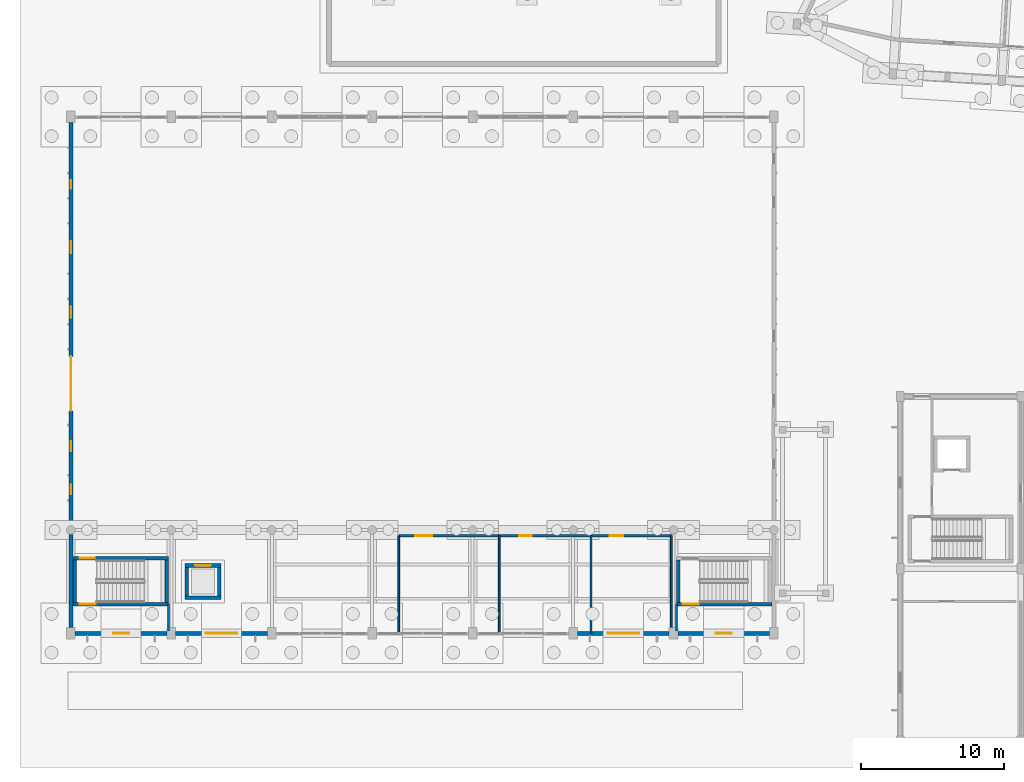
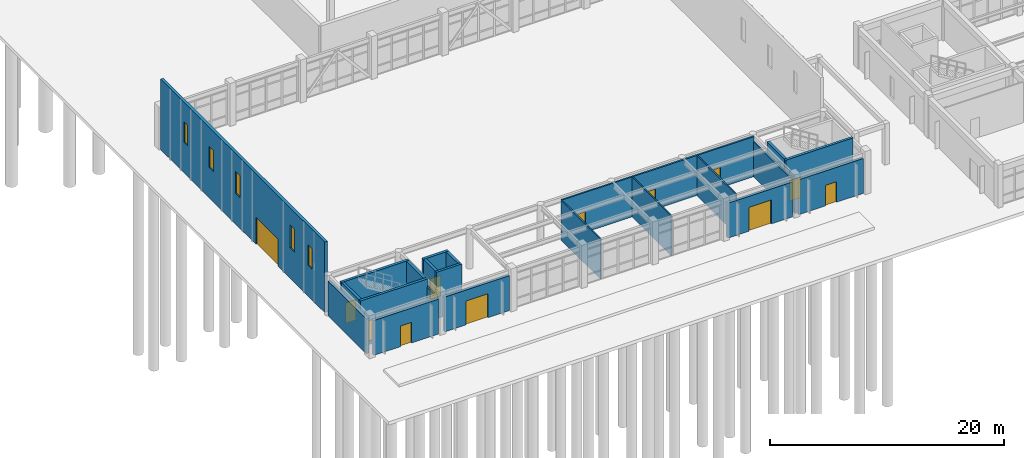
# One storey, part 117 of 154: 25 walls, 12 doors, 5 windows, 17 openings.
"""IFC4 building model written with IfcOpenShell, lengths in metres."""

from ifc_helpers import new_model, si_unit, direction, frame, frame_2d, origin, place, context, subcontext, project, spatial, rectangle, extrude, material, layer, layer_set, type_object, element, fill, save


model = new_model("IFC4")

# Units and contexts
model_context = context("Model", 3, precision=1e-05, world=origin(), true_north=direction((0.0, 1.0)))
body_context = subcontext(model_context, "Body", "Model", "MODEL_VIEW")
ifc_project = project(units=[si_unit("LENGTHUNIT", "METRE"), si_unit("AREAUNIT", "SQUARE_METRE"), si_unit("VOLUMEUNIT", "CUBIC_METRE"), si_unit("PLANEANGLEUNIT", "RADIAN"), si_unit("MASSUNIT", "GRAM", prefix="KILO")], contexts=[model_context])

# Site, building, storey
site_placement = place(None, origin())
site = spatial("IfcSite", under=ifc_project, at=site_placement, CompositionType="ELEMENT")
building_placement = place(site_placement, origin())
building = spatial("IfcBuilding", under=site, at=building_placement, Name="Kestramere Prow Commons", CompositionType="ELEMENT")
storey_placement = place(building_placement, origin())
storey = spatial("IfcBuildingStorey", under=building, at=storey_placement, Name="L00", CompositionType="ELEMENT", Elevation=0.0)

# Wall, opening, door
ifc_material_1 = material(Name="Precast concrete C40/50", Category="concrete")
ifc_layer_1 = layer(ifc_material_1, 0.280029296875)
ifc_layer_set_1 = layer_set([ifc_layer_1], Name="Precast concrete C40/50")
wall_type_1 = type_object("IfcWallType", Name="EW-CIVIC-280", PredefinedType="SOLIDWALL", material=ifc_layer_set_1)
wall_1_placement = place(storey_placement, frame((8.89990234375, 7.5, 0.0), z_axis=(0.0, 0.0, 1.0), x_axis=(-1.0, 0.0, 0.0)))
wall_1 = element("IfcWall", 1, at=wall_1_placement, inside=storey, type_object=wall_type_1, Name="Hall South Wall 1", PredefinedType="SOLIDWALL", context=body_context, shape_type="SweptSolid", body=[
    extrude(rectangle(XDim=6.39990234375, YDim=0.280029296875, at=frame_2d((3.199951171875, 0.0))), origin(), (0.0, 0.0, 1.0), 3.64990234375),
])
opening_1_placement = place(wall_1_placement, frame((2.64990234375, 0.0, 0.0)))
opening_1 = element("IfcOpeningElement", 2, at=opening_1_placement, cuts=wall_1, Name="Opening ED-03", PredefinedType="OPENING", context=body_context, shape_type="SweptSolid", body=[
    extrude(rectangle(XDim=1.10009765625, YDim=2.14990234375, at=frame_2d((0.550048828125, 1.074951171875))), frame((0.0, 0.155029296875, 0.0), z_axis=(0.0, -1.0, 0.0), x_axis=(1.0, 0.0, 0.0)), (0.0, 0.0, 1.0), 0.31005859375),
])
ifc_material_2 = material(Name="Thermally-Broken Anodised Aluminium Glazed", Category="aluminium")
door_type_1 = type_object("IfcDoorType", Name="ED-STAIR-1100", OperationType="NOTDEFINED", PredefinedType="DOOR", material=ifc_material_2)
door_1_placement = place(opening_1_placement, origin())
door_1 = element("IfcDoor", 3, at=door_1_placement, inside=storey, type_object=door_type_1, Name="Community Hall Stair 1 Final Exit Door", OperationType="SINGLE_SWING_LEFT", OverallHeight=2.14990234375, OverallWidth=1.10009765625, PredefinedType="DOOR", context=body_context, shape_type="SweptSolid", body=[
    extrude(rectangle(XDim=1.10009765625, YDim=2.14990234375, at=frame_2d((0.550048828125, 1.074951171875))), frame((0.0, 0.02490234375, 0.0), z_axis=(0.0, -1.0, 0.0), x_axis=(1.0, 0.0, 0.0)), (0.0, 0.0, 1.0), 0.050048828125),
])
fill(opening_1, door_1)

wall_2_placement = place(storey_placement, frame((15.89990234375, 7.5, 0.0), z_axis=(0.0, 0.0, 1.0), x_axis=(-1.0, 0.0, 0.0)))
wall_2 = element("IfcWall", 4, at=wall_2_placement, inside=storey, type_object=wall_type_1, Name="Hall South Wall 2", PredefinedType="SOLIDWALL", context=body_context, shape_type="SweptSolid", body=[
    extrude(rectangle(XDim=6.39990234375, YDim=0.280029296875, at=frame_2d((3.199951171875, 0.0))), origin(), (0.0, 0.0, 1.0), 3.64990234375),
])
opening_2_placement = place(wall_2_placement, frame((2.10009765625, 0.0, 0.0)))
opening_2 = element("IfcOpeningElement", 5, at=opening_2_placement, cuts=wall_2, Name="Opening ED-05", PredefinedType="OPENING", context=body_context, shape_type="SweptSolid", body=[
    extrude(rectangle(XDim=2.199951171875, YDim=2.5, at=frame_2d((1.10009765625, 1.25))), frame((0.0, 0.155029296875, 0.0), z_axis=(0.0, -1.0, 0.0), x_axis=(1.0, 0.0, 0.0)), (0.0, 0.0, 1.0), 0.31005859375),
])
door_type_2 = type_object("IfcDoorType", Name="ED-HALL-2200", OperationType="DOUBLE_DOOR_SINGLE_SWING", PredefinedType="DOOR", material=ifc_material_2)
door_2_placement = place(opening_2_placement, origin())
door_2 = element("IfcDoor", 6, at=door_2_placement, inside=storey, type_object=door_type_2, Name="Community Hall Entrance Door 2", OperationType="DOUBLE_DOOR_SINGLE_SWING", OverallHeight=2.5, OverallWidth=2.199951171875, PredefinedType="DOOR", context=body_context, shape_type="SweptSolid", body=[
    extrude(rectangle(XDim=2.199951171875, YDim=2.5, at=frame_2d((1.10009765625, 1.25))), frame((0.0, 0.02490234375, 0.0), z_axis=(0.0, -1.0, 0.0), x_axis=(1.0, 0.0, 0.0)), (0.0, 0.0, 1.0), 0.050048828125),
])
fill(opening_2, door_2)

wall_3_placement = place(storey_placement, frame((43.89990234375, 7.5, 0.0), z_axis=(0.0, 0.0, 1.0), x_axis=(-1.0, 0.0, 0.0)))
wall_3 = element("IfcWall", 7, at=wall_3_placement, inside=storey, type_object=wall_type_1, Name="Hall South Wall 6", PredefinedType="SOLIDWALL", context=body_context, shape_type="SweptSolid", body=[
    extrude(rectangle(XDim=6.39990234375, YDim=0.280029296875, at=frame_2d((3.199951171875, 0.0))), origin(), (0.0, 0.0, 1.0), 3.64990234375),
])
opening_3_placement = place(wall_3_placement, frame((2.10009765625, 0.0, 0.0)))
opening_3 = element("IfcOpeningElement", 8, at=opening_3_placement, cuts=wall_3, Name="Opening ED-05", PredefinedType="OPENING", context=body_context, shape_type="SweptSolid", body=[
    extrude(rectangle(XDim=2.199951171875, YDim=2.5, at=frame_2d((1.10009765625, 1.25))), frame((0.0, 0.155029296875, 0.0), z_axis=(0.0, -1.0, 0.0), x_axis=(1.0, 0.0, 0.0)), (0.0, 0.0, 1.0), 0.31005859375),
])
door_3_placement = place(opening_3_placement, origin())
door_3 = element("IfcDoor", 9, at=door_3_placement, inside=storey, type_object=door_type_2, Name="Community Hall Entrance Door 6", OperationType="DOUBLE_DOOR_SINGLE_SWING", OverallHeight=2.5, OverallWidth=2.199951171875, PredefinedType="DOOR", context=body_context, shape_type="SweptSolid", body=[
    extrude(rectangle(XDim=2.199951171875, YDim=2.5, at=frame_2d((1.10009765625, 1.25))), frame((0.0, 0.02490234375, 0.0), z_axis=(0.0, -1.0, 0.0), x_axis=(1.0, 0.0, 0.0)), (0.0, 0.0, 1.0), 0.050048828125),
])
fill(opening_3, door_3)

wall_4_placement = place(storey_placement, frame((50.89990234375, 7.5, 0.0), z_axis=(0.0, 0.0, 1.0), x_axis=(-1.0, 0.0, 0.0)))
wall_4 = element("IfcWall", 10, at=wall_4_placement, inside=storey, type_object=wall_type_1, Name="Hall South Wall 7", PredefinedType="SOLIDWALL", context=body_context, shape_type="SweptSolid", body=[
    extrude(rectangle(XDim=6.39990234375, YDim=0.280029296875, at=frame_2d((3.199951171875, 0.0))), origin(), (0.0, 0.0, 1.0), 3.64990234375),
])
opening_4_placement = place(wall_4_placement, frame((2.64990234375, 0.0, 0.0)))
opening_4 = element("IfcOpeningElement", 11, at=opening_4_placement, cuts=wall_4, Name="Opening ED-03", PredefinedType="OPENING", context=body_context, shape_type="SweptSolid", body=[
    extrude(rectangle(XDim=1.10009765625, YDim=2.14990234375, at=frame_2d((0.550048828125, 1.074951171875))), frame((0.0, 0.155029296875, 0.0), z_axis=(0.0, -1.0, 0.0), x_axis=(1.0, 0.0, 0.0)), (0.0, 0.0, 1.0), 0.31005859375),
])
door_4_placement = place(opening_4_placement, origin())
door_4 = element("IfcDoor", 12, at=door_4_placement, inside=storey, type_object=door_type_1, Name="Community Hall Stair 2 Final Exit Door", OperationType="SINGLE_SWING_RIGHT", OverallHeight=2.14990234375, OverallWidth=1.10009765625, PredefinedType="DOOR", context=body_context, shape_type="SweptSolid", body=[
    extrude(rectangle(XDim=1.10009765625, YDim=2.14990234375, at=frame_2d((0.550048828125, 1.074951171875))), frame((0.0, 0.02490234375, 0.0), z_axis=(0.0, -1.0, 0.0), x_axis=(1.0, 0.0, 0.0)), (0.0, 0.0, 1.0), 0.050048828125),
])
fill(opening_4, door_4)

# Wall
wall_5_placement = place(storey_placement, frame((2.199951171875, 7.89990234375, 0.0), z_axis=(0.0, 0.0, 1.0), x_axis=(0.0, 1.0, 0.0)))
element("IfcWall", 13, at=wall_5_placement, inside=storey, type_object=wall_type_1, Name="Hall L00 W Gallery End Wall", PredefinedType="SOLIDWALL", context=body_context, shape_type="SweptSolid", body=[
    extrude(rectangle(XDim=6.5, YDim=0.280029296875, at=frame_2d((3.25, 0.0))), origin(), (0.0, 0.0, 1.0), 3.64990234375),
])

# Wall, openings, door, windows
wall_6_placement = place(storey_placement, frame((2.199951171875, 15.0, 0.0), z_axis=(0.0, 0.0, 1.0), x_axis=(0.0, 1.0, 0.0)))
wall_6 = element("IfcWall", 14, at=wall_6_placement, inside=storey, type_object=wall_type_1, Name="Hall L00 W Double-Height Gable Wall", PredefinedType="SOLIDWALL", context=body_context, shape_type="SweptSolid", body=[
    extrude(rectangle(XDim=28.10009765625, YDim=0.280029296875, at=frame_2d((14.050048828125, 0.0))), origin(), (0.0, 0.0, 1.0), 7.3798828125),
])
opening_5_placement = place(wall_6_placement, frame((8.0, 0.0, 0.0)))
opening_5 = element("IfcOpeningElement", 15, at=opening_5_placement, cuts=wall_6, Name="Opening VG-02", PredefinedType="OPENING", context=body_context, shape_type="SweptSolid", body=[
    extrude(rectangle(XDim=3.800048828125, YDim=2.85009765625, at=frame_2d((1.89990234375, 1.425048828125))), frame((0.0, 0.155029296875, 0.0), z_axis=(0.0, -1.0, 0.0), x_axis=(1.0, 0.0, 0.0)), (0.0, 0.0, 1.0), 0.31005859375),
])
opening_6_placement = place(wall_6_placement, frame((2.199951171875, 0.0, 3.199951171875)))
opening_6 = element("IfcOpeningElement", 16, at=opening_6_placement, cuts=wall_6, Name="Opening WN-04", PredefinedType="OPENING", context=body_context, shape_type="SweptSolid", body=[
    extrude(rectangle(XDim=0.639892578125, YDim=2.179931640625, at=frame_2d((0.31982421875, 1.08984375))), frame((0.0, 0.155029296875, 0.0), z_axis=(0.0, -1.0, 0.0), x_axis=(1.0, 0.0, 0.0)), (0.0, 0.0, 1.0), 0.31005859375),
])
opening_7_placement = place(wall_6_placement, frame((5.199951171875, 0.0, 3.199951171875)))
opening_7 = element("IfcOpeningElement", 17, at=opening_7_placement, cuts=wall_6, Name="Opening WN-07", PredefinedType="OPENING", context=body_context, shape_type="SweptSolid", body=[
    extrude(rectangle(XDim=0.699951171875, YDim=2.360107421875, at=frame_2d((0.35009765625, 1.18017578125))), frame((0.0, 0.155029296875, 0.0), z_axis=(0.0, -1.0, 0.0), x_axis=(1.0, 0.0, 0.0)), (0.0, 0.0, 1.0), 0.31005859375),
])
opening_8_placement = place(wall_6_placement, frame((14.5, 0.0, 3.199951171875)))
opening_8 = element("IfcOpeningElement", 18, at=opening_8_placement, cuts=wall_6, Name="Opening WN-10", PredefinedType="OPENING", context=body_context, shape_type="SweptSolid", body=[
    extrude(rectangle(XDim=0.760009765625, YDim=2.340087890625, at=frame_2d((0.3798828125, 1.169921875))), frame((0.0, 0.155029296875, 0.0), z_axis=(0.0, -1.0, 0.0), x_axis=(1.0, 0.0, 0.0)), (0.0, 0.0, 1.0), 0.31005859375),
])
opening_9_placement = place(wall_6_placement, frame((19.0, 0.0, 3.199951171875)))
opening_9 = element("IfcOpeningElement", 19, at=opening_9_placement, cuts=wall_6, Name="Opening WN-13", PredefinedType="OPENING", context=body_context, shape_type="SweptSolid", body=[
    extrude(rectangle(XDim=0.820068359375, YDim=2.179931640625, at=frame_2d((0.41015625, 1.08984375))), frame((0.0, 0.155029296875, 0.0), z_axis=(0.0, -1.0, 0.0), x_axis=(1.0, 0.0, 0.0)), (0.0, 0.0, 1.0), 0.31005859375),
])
opening_10_placement = place(wall_6_placement, frame((23.5, 0.0, 3.199951171875)))
opening_10 = element("IfcOpeningElement", 20, at=opening_10_placement, cuts=wall_6, Name="Opening WN-01", PredefinedType="OPENING", context=body_context, shape_type="SweptSolid", body=[
    extrude(rectangle(XDim=0.580078125, YDim=2.159912109375, at=frame_2d((0.2900390625, 1.080078125))), frame((0.0, 0.155029296875, 0.0), z_axis=(0.0, -1.0, 0.0), x_axis=(1.0, 0.0, 0.0)), (0.0, 0.0, 1.0), 0.31005859375),
])
ifc_material_3 = material(Name="Galvanised Steel S275JR", Category="steel")
door_type_3 = type_object("IfcDoorType", Name="VG-LOAD-3800", OperationType="ROLLINGUP", PredefinedType="DOOR", material=ifc_material_3)
door_5_placement = place(opening_5_placement, origin())
door_5 = element("IfcDoor", 21, at=door_5_placement, inside=storey, type_object=door_type_3, Name="Community Hall Stage Loading Door", OperationType="ROLLINGUP", OverallHeight=2.85009765625, OverallWidth=3.800048828125, PredefinedType="DOOR", context=body_context, shape_type="SweptSolid", body=[
    extrude(rectangle(XDim=3.800048828125, YDim=2.85009765625, at=frame_2d((1.89990234375, 1.425048828125))), frame((0.0, 0.02490234375, 0.0), z_axis=(0.0, -1.0, 0.0), x_axis=(1.0, 0.0, 0.0)), (0.0, 0.0, 1.0), 0.050048828125),
])
fill(opening_5, door_5)
ifc_material_4 = material(Name="Low-E Laminated Double Glazing", Category="glass")
window_type_1 = type_object("IfcWindowType", Name="WN-NAR-580A", PartitioningType="SINGLE_PANEL", PredefinedType="WINDOW", material=ifc_material_4)
window_1_placement = place(opening_10_placement, origin())
window_1 = element("IfcWindow", 22, at=window_1_placement, inside=storey, type_object=window_type_1, Name="WN-HL-GAB-W-5", OverallHeight=2.159912109375, OverallWidth=0.580078125, PartitioningType="SINGLE_PANEL", PredefinedType="WINDOW", context=body_context, shape_type="SweptSolid", body=[
    extrude(rectangle(XDim=0.580078125, YDim=2.159912109375, at=frame_2d((0.2900390625, 1.080078125))), frame((0.0, 0.030029296875, 0.0), z_axis=(0.0, -1.0, 0.0), x_axis=(1.0, 0.0, 0.0)), (0.0, 0.0, 1.0), 0.06005859375),
])
fill(opening_10, window_1)
window_type_2 = type_object("IfcWindowType", Name="WN-NAR-640A", PartitioningType="SINGLE_PANEL", PredefinedType="WINDOW", material=ifc_material_4)
window_2_placement = place(opening_6_placement, origin())
window_2 = element("IfcWindow", 23, at=window_2_placement, inside=storey, type_object=window_type_2, Name="WN-HL-GAB-W-1", OverallHeight=2.179931640625, OverallWidth=0.639892578125, PartitioningType="SINGLE_PANEL", PredefinedType="WINDOW", context=body_context, shape_type="SweptSolid", body=[
    extrude(rectangle(XDim=0.639892578125, YDim=2.179931640625, at=frame_2d((0.31982421875, 1.08984375))), frame((0.0, 0.030029296875, 0.0), z_axis=(0.0, -1.0, 0.0), x_axis=(1.0, 0.0, 0.0)), (0.0, 0.0, 1.0), 0.06005859375),
])
fill(opening_6, window_2)
window_type_3 = type_object("IfcWindowType", Name="WN-NAR-700A", PartitioningType="SINGLE_PANEL", PredefinedType="WINDOW", material=ifc_material_4)
window_3_placement = place(opening_7_placement, origin())
window_3 = element("IfcWindow", 24, at=window_3_placement, inside=storey, type_object=window_type_3, Name="WN-HL-GAB-W-2", OverallHeight=2.360107421875, OverallWidth=0.699951171875, PartitioningType="SINGLE_PANEL", PredefinedType="WINDOW", context=body_context, shape_type="SweptSolid", body=[
    extrude(rectangle(XDim=0.699951171875, YDim=2.360107421875, at=frame_2d((0.35009765625, 1.18017578125))), frame((0.0, 0.030029296875, 0.0), z_axis=(0.0, -1.0, 0.0), x_axis=(1.0, 0.0, 0.0)), (0.0, 0.0, 1.0), 0.06005859375),
])
fill(opening_7, window_3)
window_type_4 = type_object("IfcWindowType", Name="WN-NAR-760A", PartitioningType="SINGLE_PANEL", PredefinedType="WINDOW", material=ifc_material_4)
window_4_placement = place(opening_8_placement, origin())
window_4 = element("IfcWindow", 25, at=window_4_placement, inside=storey, type_object=window_type_4, Name="WN-HL-GAB-W-3", OverallHeight=2.340087890625, OverallWidth=0.760009765625, PartitioningType="SINGLE_PANEL", PredefinedType="WINDOW", context=body_context, shape_type="SweptSolid", body=[
    extrude(rectangle(XDim=0.760009765625, YDim=2.340087890625, at=frame_2d((0.3798828125, 1.169921875))), frame((0.0, 0.030029296875, 0.0), z_axis=(0.0, -1.0, 0.0), x_axis=(1.0, 0.0, 0.0)), (0.0, 0.0, 1.0), 0.06005859375),
])
fill(opening_8, window_4)
window_type_5 = type_object("IfcWindowType", Name="WN-NAR-820A", PartitioningType="DOUBLE_PANEL_VERTICAL", PredefinedType="WINDOW", material=ifc_material_4)
window_5_placement = place(opening_9_placement, origin())
window_5 = element("IfcWindow", 26, at=window_5_placement, inside=storey, type_object=window_type_5, Name="WN-HL-GAB-W-4", OverallHeight=2.179931640625, OverallWidth=0.820068359375, PartitioningType="SINGLE_PANEL", PredefinedType="WINDOW", context=body_context, shape_type="SweptSolid", body=[
    extrude(rectangle(XDim=0.820068359375, YDim=2.179931640625, at=frame_2d((0.41015625, 1.08984375))), frame((0.0, 0.030029296875, 0.0), z_axis=(0.0, -1.0, 0.0), x_axis=(1.0, 0.0, 0.0)), (0.0, 0.0, 1.0), 0.06005859375),
])
fill(opening_9, window_5)

# Wall, opening, door
ifc_material_5 = material(Name="Concrete C40/50", Category="concrete")
ifc_layer_2 = layer(ifc_material_5, 0.25)
ifc_layer_set_2 = layer_set([ifc_layer_2], Name="Concrete C40/50")
wall_type_2 = type_object("IfcWallType", Name="W-CORE-250", PredefinedType="SHEAR", material=ifc_layer_set_2)
wall_7_placement = place(storey_placement, frame((2.35009765625, 12.72509765625, -0.35009765625), z_axis=(0.0, 0.0, 1.0), x_axis=(1.0, 0.0, 0.0)))
wall_7 = element("IfcWall", 27, at=wall_7_placement, inside=storey, type_object=wall_type_2, Name="ST-H1 L00 North Wall", PredefinedType="SHEAR", context=body_context, shape_type="SweptSolid", body=[
    extrude(rectangle(XDim=6.64990234375, YDim=0.25, at=frame_2d((3.324951171875, 0.0))), origin(), (0.0, 0.0, 1.0), 4.85009765625),
])
opening_11_placement = place(wall_7_placement, frame((0.449951171875, 0.0, 0.35009765625)))
opening_11 = element("IfcOpeningElement", 28, at=opening_11_placement, cuts=wall_7, Name="Opening ID-01", PredefinedType="OPENING", context=body_context, shape_type="SweptSolid", body=[
    extrude(rectangle(XDim=1.050048828125, YDim=2.14990234375, at=frame_2d((0.52490234375, 1.074951171875))), frame((0.0, 0.139892578125, 0.0), z_axis=(0.0, -1.0, 0.0), x_axis=(1.0, 0.0, 0.0)), (0.0, 0.0, 1.0), 0.280029296875),
])
ifc_material_6 = material(Name="Fire-Rated Timber and Steel Frame", Category="steel")
door_type_4 = type_object("IfcDoorType", Name="FD-ST-01", OperationType="NOTDEFINED", PredefinedType="DOOR", material=ifc_material_6)
door_6_placement = place(opening_11_placement, origin())
door_6 = element("IfcDoor", 29, at=door_6_placement, inside=storey, type_object=door_type_4, Name="ST-H1 L00 Protected Stair Door", OperationType="SINGLE_SWING_LEFT", OverallHeight=2.14990234375, OverallWidth=1.050048828125, PredefinedType="DOOR", context=body_context, shape_type="SweptSolid", body=[
    extrude(rectangle(XDim=1.050048828125, YDim=2.14990234375, at=frame_2d((0.52490234375, 1.074951171875))), frame((0.0, 0.02490234375, 0.0), z_axis=(0.0, -1.0, 0.0), x_axis=(1.0, 0.0, 0.0)), (0.0, 0.0, 1.0), 0.050048828125),
])
fill(opening_11, door_6)

wall_8_placement = place(storey_placement, frame((2.35009765625, 9.52490234375, -0.35009765625), z_axis=(0.0, 0.0, 1.0), x_axis=(1.0, 0.0, 0.0)))
wall_8 = element("IfcWall", 30, at=wall_8_placement, inside=storey, type_object=wall_type_2, Name="ST-H1 L00 South Wall", PredefinedType="SHEAR", context=body_context, shape_type="SweptSolid", body=[
    extrude(rectangle(XDim=6.64990234375, YDim=0.25, at=frame_2d((3.324951171875, 0.0))), origin(), (0.0, 0.0, 1.0), 4.85009765625),
])
opening_12_placement = place(wall_8_placement, frame((0.449951171875, 0.0, 0.35009765625)))
opening_12 = element("IfcOpeningElement", 31, at=opening_12_placement, cuts=wall_8, Name="Opening ID-02", PredefinedType="OPENING", context=body_context, shape_type="SweptSolid", body=[
    extrude(rectangle(XDim=1.1201171875, YDim=2.14990234375, at=frame_2d((0.56005859375, 1.074951171875))), frame((0.0, 0.139892578125, 0.0), z_axis=(0.0, -1.0, 0.0), x_axis=(1.0, 0.0, 0.0)), (0.0, 0.0, 1.0), 0.280029296875),
])
door_type_5 = type_object("IfcDoorType", Name="FD-ST-02", OperationType="NOTDEFINED", PredefinedType="DOOR", material=ifc_material_6)
door_7_placement = place(opening_12_placement, origin())
door_7 = element("IfcDoor", 32, at=door_7_placement, inside=storey, type_object=door_type_5, Name="ST-H1 L00 Lobby/Exit Stair Door", OperationType="SINGLE_SWING_RIGHT", OverallHeight=2.14990234375, OverallWidth=1.1201171875, PredefinedType="DOOR", context=body_context, shape_type="SweptSolid", body=[
    extrude(rectangle(XDim=1.1201171875, YDim=2.14990234375, at=frame_2d((0.56005859375, 1.074951171875))), frame((0.0, 0.02490234375, 0.0), z_axis=(0.0, -1.0, 0.0), x_axis=(1.0, 0.0, 0.0)), (0.0, 0.0, 1.0), 0.050048828125),
])
fill(opening_12, door_7)

# Walls
for number, where, z_axis, x_axis, name in (
    (33, (2.47509765625, 9.64990234375, -0.35009765625), (0.0, 0.0, 1.0), (0.0, 1.0, 0.0), "ST-H1 L00 W Wall"),
    (34, (8.875, 9.64990234375, -0.35009765625), (0.0, 0.0, 1.0), (0.0, 1.0, 0.0), "ST-H1 L00 E Wall"),
):
    element("IfcWall", number, at=place(storey_placement, frame(where, z_axis=z_axis, x_axis=x_axis)), inside=storey, type_object=wall_type_2, Name=name, PredefinedType="SHEAR", context=body_context, shape_type="SweptSolid", body=[
        extrude(rectangle(XDim=2.9501953125, YDim=0.25, at=frame_2d((1.47509765625, 0.0))), origin(), (0.0, 0.0, 1.0), 4.85009765625),
    ])

# Wall, opening, door
wall_9_placement = place(storey_placement, frame((44.39990234375, 9.52490234375, -0.35009765625), z_axis=(0.0, 0.0, 1.0), x_axis=(1.0, 0.0, 0.0)))
wall_9 = element("IfcWall", 35, at=wall_9_placement, inside=storey, type_object=wall_type_2, Name="ST-H2 L00 South Wall", PredefinedType="SHEAR", context=body_context, shape_type="SweptSolid", body=[
    extrude(rectangle(XDim=6.650146484375, YDim=0.25, at=frame_2d((3.3251953125, 0.0))), origin(), (0.0, 0.0, 1.0), 4.85009765625),
])
opening_13_placement = place(wall_9_placement, frame((0.449951171875, 0.0, 0.35009765625)))
opening_13 = element("IfcOpeningElement", 36, at=opening_13_placement, cuts=wall_9, Name="Opening ID-02", PredefinedType="OPENING", context=body_context, shape_type="SweptSolid", body=[
    extrude(rectangle(XDim=1.1201171875, YDim=2.14990234375, at=frame_2d((0.56005859375, 1.074951171875))), frame((0.0, 0.139892578125, 0.0), z_axis=(0.0, -1.0, 0.0), x_axis=(1.0, 0.0, 0.0)), (0.0, 0.0, 1.0), 0.280029296875),
])
door_8_placement = place(opening_13_placement, origin())
door_8 = element("IfcDoor", 37, at=door_8_placement, inside=storey, type_object=door_type_5, Name="ST-H2 L00 Lobby/Exit Stair Door", OperationType="SINGLE_SWING_RIGHT", OverallHeight=2.14990234375, OverallWidth=1.1201171875, PredefinedType="DOOR", context=body_context, shape_type="SweptSolid", body=[
    extrude(rectangle(XDim=1.1201171875, YDim=2.14990234375, at=frame_2d((0.56005859375, 1.074951171875))), frame((0.0, 0.02490234375, 0.0), z_axis=(0.0, -1.0, 0.0), x_axis=(1.0, 0.0, 0.0)), (0.0, 0.0, 1.0), 0.050048828125),
])
fill(opening_13, door_8)

# Wall
wall_10_placement = place(storey_placement, frame((44.52490234375, 9.64990234375, -0.35009765625), z_axis=(0.0, 0.0, 1.0), x_axis=(0.0, 1.0, 0.0)))
element("IfcWall", 38, at=wall_10_placement, inside=storey, type_object=wall_type_2, Name="ST-H2 L00 W Wall", PredefinedType="SHEAR", context=body_context, shape_type="SweptSolid", body=[
    extrude(rectangle(XDim=2.9501953125, YDim=0.25, at=frame_2d((1.47509765625, 0.0))), origin(), (0.0, 0.0, 1.0), 4.85009765625),
])

# Wall, opening, door
wall_11_placement = place(storey_placement, frame((10.14990234375, 12.22509765625, -0.35009765625), z_axis=(0.0, 0.0, 1.0), x_axis=(1.0, 0.0, 0.0)))
wall_11 = element("IfcWall", 39, at=wall_11_placement, inside=storey, type_object=wall_type_2, Name="PL-H1 L00 Shaft Wall N", PredefinedType="SHEAR", context=body_context, shape_type="SweptSolid", body=[
    extrude(rectangle(XDim=2.5, YDim=0.25, at=frame_2d((1.25, 0.0))), origin(), (0.0, 0.0, 1.0), 4.85009765625),
])
opening_14_placement = place(wall_11_placement, frame((0.699951171875, 0.0, 0.35009765625)))
opening_14 = element("IfcOpeningElement", 40, at=opening_14_placement, cuts=wall_11, Name="Opening LD-01", PredefinedType="OPENING", context=body_context, shape_type="SweptSolid", body=[
    extrude(rectangle(XDim=1.10009765625, YDim=2.14990234375, at=frame_2d((0.550048828125, 1.074951171875))), frame((0.0, 0.139892578125, 0.0), z_axis=(0.0, -1.0, 0.0), x_axis=(1.0, 0.0, 0.0)), (0.0, 0.0, 1.0), 0.280029296875),
])
ifc_material_7 = material(Name="Brushed Stainless Steel 304", Category="steel")
door_type_6 = type_object("IfcDoorType", Name="LD-01", OperationType="DOUBLE_DOOR_SLIDING", PredefinedType="DOOR", material=ifc_material_7)
door_9_placement = place(opening_14_placement, origin())
door_9 = element("IfcDoor", 41, at=door_9_placement, inside=storey, type_object=door_type_6, Name="PL-H1 L00 Lift Landing Door", OperationType="DOUBLE_DOOR_SLIDING", OverallHeight=2.14990234375, OverallWidth=1.10009765625, PredefinedType="DOOR", context=body_context, shape_type="SweptSolid", body=[
    extrude(rectangle(XDim=1.10009765625, YDim=2.14990234375, at=frame_2d((0.550048828125, 1.074951171875))), frame((0.0, 0.02490234375, 0.0), z_axis=(0.0, -1.0, 0.0), x_axis=(1.0, 0.0, 0.0)), (0.0, 0.0, 1.0), 0.050048828125),
])
fill(opening_14, door_9)

# Walls
wall_12_placement = place(storey_placement, frame((10.14990234375, 9.97509765625, -0.35009765625), z_axis=(0.0, 0.0, 1.0), x_axis=(1.0, 0.0, 0.0)))
element("IfcWall", 42, at=wall_12_placement, inside=storey, type_object=wall_type_2, Name="PL-H1 L00 Shaft Wall S", PredefinedType="SHEAR", context=body_context, shape_type="SweptSolid", body=[
    extrude(rectangle(XDim=2.5, YDim=0.25, at=frame_2d((1.25, 0.0))), origin(), (0.0, 0.0, 1.0), 4.85009765625),
])
for number, where, z_axis, x_axis, name in (
    (43, (10.27490234375, 10.10009765625, -0.35009765625), (0.0, 0.0, 1.0), (0.0, 1.0, 0.0), "PL-H1 L00 Shaft Wall W"),
    (44, (12.52490234375, 10.10009765625, -0.35009765625), (0.0, 0.0, 1.0), (0.0, 1.0, 0.0), "PL-H1 L00 Shaft Wall E"),
):
    element("IfcWall", number, at=place(storey_placement, frame(where, z_axis=z_axis, x_axis=x_axis)), inside=storey, type_object=wall_type_2, Name=name, PredefinedType="SHEAR", context=body_context, shape_type="SweptSolid", body=[
        extrude(rectangle(XDim=2.0, YDim=0.25, at=frame_2d((1.0, 0.0))), origin(), (0.0, 0.0, 1.0), 4.85009765625),
    ])
ifc_material_8 = material(Name="Fire-Rated Calcium Silicate Wall")
ifc_layer_3 = layer(ifc_material_8, 0.155029296875)
ifc_layer_set_3 = layer_set([ifc_layer_3], Name="Fire-Rated Calcium Silicate Wall")
wall_type_3 = type_object("IfcWallType", Name="W-FIRE-150", PredefinedType="PARTITIONING", material=ifc_layer_set_3)
for number, where, z_axis, x_axis, name in (
    (45, (9.0, 7.64990234375, 0.0), (0.0, 0.0, 1.0), (0.0, 1.0, 0.0), "Interior Partition PW-HL-L00-VEST1-E"),
    (46, (44.39990234375, 7.64990234375, 0.0), (0.0, 0.0, 1.0), (0.0, 1.0, 0.0), "Interior Partition PW-HL-L00-VEST2-W"),
):
    element("IfcWall", number, at=place(storey_placement, frame(where, z_axis=z_axis, x_axis=x_axis)), inside=storey, type_object=wall_type_3, Name=name, PredefinedType="PARTITIONING", context=body_context, shape_type="SweptSolid", body=[
        extrude(rectangle(XDim=1.900146484375, YDim=0.155029296875, at=frame_2d((0.9501953125, 0.0))), origin(), (0.0, 0.0, 1.0), 3.6669921875),
    ])
ifc_material_9 = material(Name="Lightweight Blockwork and Plaster", Category="masonry")
ifc_layer_4 = layer(ifc_material_9, 0.1201171875)
ifc_layer_set_4 = layer_set([ifc_layer_4], Name="Lightweight Blockwork and Plaster")
wall_type_4 = type_object("IfcWallType", Name="W-PART-120", PredefinedType="PARTITIONING", material=ifc_layer_set_4)
for number, where, z_axis, x_axis, name in (
    (47, (25.050048828125, 7.52001953125, 0.0), (0.0, 0.0, 1.0), (0.0, 1.0, 0.0), "Interior Partition PW-HL-L00-V-228"),
    (48, (32.050048828125, 7.52001953125, 0.0), (0.0, 0.0, 1.0), (0.0, 1.0, 0.0), "Interior Partition PW-HL-L00-V-298"),
    (49, (38.449951171875, 7.52001953125, 0.0), (0.0, 0.0, 1.0), (0.0, 1.0, 0.0), "Interior Partition PW-HL-L00-V-362"),
):
    element("IfcWall", number, at=place(storey_placement, frame(where, z_axis=z_axis, x_axis=x_axis)), inside=storey, type_object=wall_type_4, Name=name, PredefinedType="PARTITIONING", context=body_context, shape_type="SweptSolid", body=[
        extrude(rectangle(XDim=6.780029296875, YDim=0.1201171875, at=frame_2d((3.39013671875, 0.0))), origin(), (0.0, 0.0, 1.0), 4.179931640625),
    ])
wall_13_placement = place(storey_placement, frame((44.050048828125, 7.64990234375, 0.0), z_axis=(0.0, 0.0, 1.0), x_axis=(0.0, 1.0, 0.0)))
element("IfcWall", 50, at=wall_13_placement, inside=storey, type_object=wall_type_4, Name="Interior Partition PW-HL-L00-V-418", PredefinedType="PARTITIONING", context=body_context, shape_type="SweptSolid", body=[
    extrude(rectangle(XDim=6.650146484375, YDim=0.1201171875, at=frame_2d((3.3251953125, 0.0))), origin(), (0.0, 0.0, 1.0), 3.6669921875),
])

# Wall, opening, door
ifc_material_10 = material(Name="Masonry Compartment Wall", Category="masonry")
ifc_layer_5 = layer(ifc_material_10, 0.14990234375)
ifc_layer_set_5 = layer_set([ifc_layer_5], Name="Masonry Compartment Wall")
wall_type_5 = type_object("IfcWallType", Name="W-PART-150", PredefinedType="PARTITIONING", material=ifc_layer_set_5)
wall_14_placement = place(storey_placement, frame((25.050048828125, 14.300048828125, 0.0), z_axis=(0.0, 0.0, 1.0), x_axis=(1.0, 0.0, 0.0)))
wall_14 = element("IfcWall", 51, at=wall_14_placement, inside=storey, type_object=wall_type_5, Name="Interior Partition PW-HL-L00-FCC-N", PredefinedType="PARTITIONING", context=body_context, shape_type="SweptSolid", body=[
    extrude(rectangle(XDim=7.0, YDim=0.14990234375, at=frame_2d((3.5, 0.0))), origin(), (0.0, 0.0, 1.0), 4.179931640625),
])
opening_15_placement = place(wall_14_placement, frame((1.14990234375, 0.0, 0.0)))
opening_15 = element("IfcOpeningElement", 52, at=opening_15_placement, cuts=wall_14, Name="Opening ID-03", PredefinedType="OPENING", context=body_context, shape_type="SweptSolid", body=[
    extrude(rectangle(XDim=1.179931640625, YDim=2.14990234375, at=frame_2d((0.58984375, 1.074951171875))), frame((0.0, 0.08984375, 0.0), z_axis=(0.0, -1.0, 0.0), x_axis=(1.0, 0.0, 0.0)), (0.0, 0.0, 1.0), 0.179931640625),
])
ifc_material_11 = material(Name="Fire-Rated Glazed Smoke-Stop Door")
door_type_7 = type_object("IfcDoorType", Name="FD-LB-01", OperationType="NOTDEFINED", PredefinedType="DOOR", material=ifc_material_11)
door_10_placement = place(opening_15_placement, origin())
door_10 = element("IfcDoor", 53, at=door_10_placement, inside=storey, type_object=door_type_7, Name="Interior Door DR-HL-L00-FCC", OperationType="SINGLE_SWING_RIGHT", OverallHeight=2.14990234375, OverallWidth=1.179931640625, PredefinedType="DOOR", context=body_context, shape_type="SweptSolid", body=[
    extrude(rectangle(XDim=1.179931640625, YDim=2.14990234375, at=frame_2d((0.58984375, 1.074951171875))), frame((0.0, 0.02490234375, 0.0), z_axis=(0.0, -1.0, 0.0), x_axis=(1.0, 0.0, 0.0)), (0.0, 0.0, 1.0), 0.050048828125),
])
fill(opening_15, door_10)

ifc_material_12 = material(Name="Waterproof Sanitary Masonry Wall", Category="masonry")
ifc_layer_6 = layer(ifc_material_12, 0.1650390625)
ifc_layer_set_6 = layer_set([ifc_layer_6], Name="Waterproof Sanitary Masonry Wall")
wall_type_6 = type_object("IfcWallType", Name="W-PLUMB-150", PredefinedType="PLUMBINGWALL", material=ifc_layer_set_6)
wall_15_placement = place(storey_placement, frame((32.050048828125, 14.300048828125, 0.0), z_axis=(0.0, 0.0, 1.0), x_axis=(1.0, 0.0, 0.0)))
wall_15 = element("IfcWall", 54, at=wall_15_placement, inside=storey, type_object=wall_type_6, Name="Interior Partition PW-HL-L00-PWC-N", PredefinedType="PLUMBINGWALL", context=body_context, shape_type="SweptSolid", body=[
    extrude(rectangle(XDim=6.39990234375, YDim=0.1650390625, at=frame_2d((3.199951171875, 0.0))), origin(), (0.0, 0.0, 1.0), 4.179931640625),
])
opening_16_placement = place(wall_15_placement, frame((1.39990234375, 0.0, 0.0)))
opening_16 = element("IfcOpeningElement", 55, at=opening_16_placement, cuts=wall_15, Name="Opening ID-12", PredefinedType="OPENING", context=body_context, shape_type="SweptSolid", body=[
    extrude(rectangle(XDim=0.860107421875, YDim=2.10009765625, at=frame_2d((0.43017578125, 1.050048828125))), frame((0.0, 0.097412109375, 0.0), z_axis=(0.0, -1.0, 0.0), x_axis=(1.0, 0.0, 0.0)), (0.0, 0.0, 1.0), 0.195068359375),
])
ifc_material_13 = material(Name="Moisture-Resistant Timber WC Door", Category="wood")
door_type_8 = type_object("IfcDoorType", Name="D-WC-01", OperationType="NOTDEFINED", PredefinedType="DOOR", material=ifc_material_13)
door_11_placement = place(opening_16_placement, origin())
door_11 = element("IfcDoor", 56, at=door_11_placement, inside=storey, type_object=door_type_8, Name="Interior Door DR-HL-L00-PWC", OperationType="SINGLE_SWING_LEFT", OverallHeight=2.10009765625, OverallWidth=0.860107421875, PredefinedType="DOOR", context=body_context, shape_type="SweptSolid", body=[
    extrude(rectangle(XDim=0.860107421875, YDim=2.10009765625, at=frame_2d((0.43017578125, 1.050048828125))), frame((0.0, 0.02490234375, 0.0), z_axis=(0.0, -1.0, 0.0), x_axis=(1.0, 0.0, 0.0)), (0.0, 0.0, 1.0), 0.050048828125),
])
fill(opening_16, door_11)

wall_16_placement = place(storey_placement, frame((38.449951171875, 14.300048828125, 0.0), z_axis=(0.0, 0.0, 1.0), x_axis=(1.0, 0.0, 0.0)))
wall_16 = element("IfcWall", 57, at=wall_16_placement, inside=storey, type_object=wall_type_6, Name="Interior Partition PW-HL-L00-AWC-N", PredefinedType="PLUMBINGWALL", context=body_context, shape_type="SweptSolid", body=[
    extrude(rectangle(XDim=5.60009765625, YDim=0.1650390625, at=frame_2d((2.800048828125, 0.0))), origin(), (0.0, 0.0, 1.0), 4.179931640625),
])
opening_17_placement = place(wall_16_placement, frame((1.300048828125, 0.0, 0.0)))
opening_17 = element("IfcOpeningElement", 58, at=opening_17_placement, cuts=wall_16, Name="Opening ID-13", PredefinedType="OPENING", context=body_context, shape_type="SweptSolid", body=[
    extrude(rectangle(XDim=0.9599609375, YDim=2.1201171875, at=frame_2d((0.47998046875, 1.06005859375))), frame((0.0, 0.097412109375, 0.0), z_axis=(0.0, -1.0, 0.0), x_axis=(1.0, 0.0, 0.0)), (0.0, 0.0, 1.0), 0.195068359375),
])
ifc_material_14 = material(Name="Accessible Wide-Leaf Timber Door", Category="wood")
door_type_9 = type_object("IfcDoorType", Name="D-ACC-01", OperationType="NOTDEFINED", PredefinedType="DOOR", material=ifc_material_14)
door_12_placement = place(opening_17_placement, origin())
door_12 = element("IfcDoor", 59, at=door_12_placement, inside=storey, type_object=door_type_9, Name="Interior Door DR-HL-L00-AWC", OperationType="SINGLE_SWING_RIGHT", OverallHeight=2.1201171875, OverallWidth=0.9599609375, PredefinedType="DOOR", context=body_context, shape_type="SweptSolid", body=[
    extrude(rectangle(XDim=0.9599609375, YDim=2.1201171875, at=frame_2d((0.47998046875, 1.06005859375))), frame((0.0, 0.02490234375, 0.0), z_axis=(0.0, -1.0, 0.0), x_axis=(1.0, 0.0, 0.0)), (0.0, 0.0, 1.0), 0.050048828125),
])
fill(opening_17, door_12)

save(model, "model.ifc")
